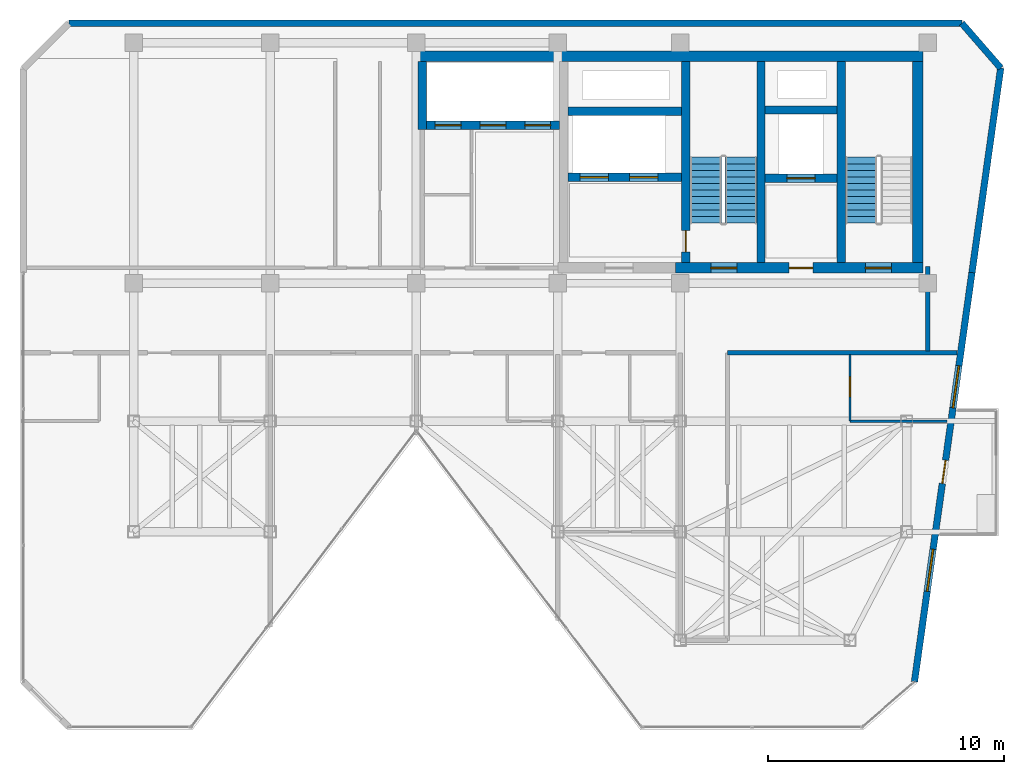
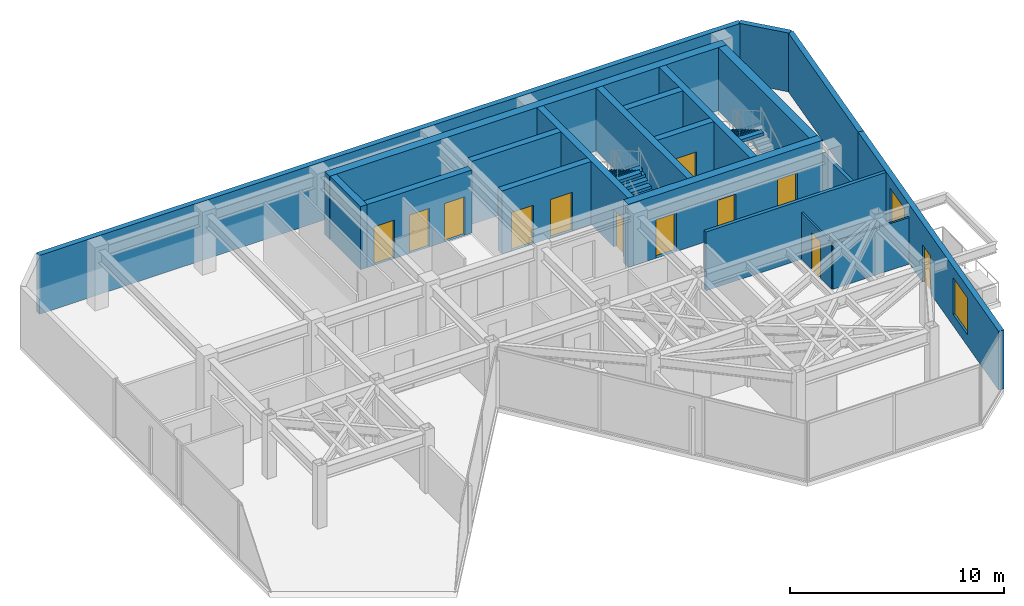
# One storey, part 16 of 19: 20 walls, 12 doors, 3 stair flights, 2 windows, 14 openings, 2 elements without a shape of their own.
"""IFC4 building model written with IfcOpenShell, lengths in metres."""

from ifc_helpers import new_model, si_unit, direction, frame, frame_2d, origin, place, context, subcontext, project, spatial, polyline, rectangle, outline, extrude, material, layer, layer_set, type_object, element, fill, aggregate, save


model = new_model("IFC4")

# Units and contexts
model_context = context("Model", 3, precision=1e-05, world=origin(), true_north=direction((0.0, 1.0)))
body_context = subcontext(model_context, "Body", "Model", "MODEL_VIEW")
ifc_project = project(units=[si_unit("LENGTHUNIT", "METRE"), si_unit("AREAUNIT", "SQUARE_METRE"), si_unit("VOLUMEUNIT", "CUBIC_METRE"), si_unit("PLANEANGLEUNIT", "RADIAN"), si_unit("MASSUNIT", "GRAM", prefix="KILO")], contexts=[model_context])

# Site, building, storey
site_placement = place(None, origin())
site = spatial("IfcSite", under=ifc_project, at=site_placement, CompositionType="ELEMENT")
building_placement = place(site_placement, origin())
building = spatial("IfcBuilding", under=site, at=building_placement, Name="Kravanh Interchange Tower", CompositionType="ELEMENT")
storey_placement = place(building_placement, frame((0.0, 0.0, 270.60009765625)))
storey = spatial("IfcBuildingStorey", under=building, at=storey_placement, Name="L66", CompositionType="ELEMENT", Elevation=270.60009765625)

# Walls
ifc_material_1 = material(Name="Concrete C60/75", Category="concrete")
ifc_layer_1 = layer(ifc_material_1, 0.35009765625)
ifc_layer_set_1 = layer_set([ifc_layer_1], Name="Core Shear Wall Concrete C60/75 350mm")
wall_type_1 = type_object("IfcWallType", Name="Core Shear Wall Concrete C60/75 350mm", PredefinedType="SHEAR", material=ifc_layer_set_1)
for number, where, z_axis, x_axis, name in (
    (1, (62.824951171875, 38.22509765625, 0.0), (0.0, 0.0, 1.0), (0.0, 1.0, 0.0), "L66 Stair ST1 West Shear Wall"),
    (2, (59.425048828125, 38.22509765625, 0.0), (0.0, 0.0, 1.0), (0.0, 1.0, 0.0), "L66 Stair ST2 East Shear Wall"),
):
    element("IfcWall", number, at=place(storey_placement, frame(where, z_axis=z_axis, x_axis=x_axis)), inside=storey, type_object=wall_type_1, Name=name, PredefinedType="SHEAR", context=body_context, shape_type="SweptSolid", body=[
        extrude(rectangle(XDim=8.52490234375, YDim=0.35009765625, at=frame_2d((4.262451171875, 0.0))), origin(), (0.0, 0.0, 1.0), 3.599853515625),
    ])

# Wall, opening, door
wall_1_placement = place(storey_placement, frame((56.22509765625, 38.22509765625, 0.0), z_axis=(0.0, 0.0, 1.0), x_axis=(0.0, 1.0, 0.0)))
wall_1 = element("IfcWall", 3, at=wall_1_placement, inside=storey, type_object=wall_type_1, Name="L66 Stair ST2 West Shear Wall", PredefinedType="SHEAR", context=body_context, shape_type="SweptSolid", body=[
    extrude(rectangle(XDim=8.52490234375, YDim=0.35009765625, at=frame_2d((4.262451171875, 0.0))), origin(), (0.0, 0.0, 1.0), 3.599853515625),
])
opening_1_placement = place(wall_1_placement, frame((0.455078125, 0.0, 0.0)))
opening_1 = element("IfcOpeningElement", 4, at=opening_1_placement, cuts=wall_1, Name="Opening D-STAIR-90", PredefinedType="OPENING", context=body_context, shape_type="SweptSolid", body=[
    extrude(rectangle(XDim=0.89990234375, YDim=2.14990234375, at=frame_2d((0.449951171875, 1.074951171875))), frame((0.0, 0.18505859375, 0.0), z_axis=(0.0, -1.0, 0.0), x_axis=(1.0, 0.0, 0.0)), (0.0, 0.0, 1.0), 0.3701171875),
])
ifc_material_2 = material(Name="Structural Steel S355", Category="steel")
door_type_1 = type_object("IfcDoorType", Name="Fire-Rated Stair Lobby Door 900x2150", OperationType="NOTDEFINED", PredefinedType="DOOR", material=ifc_material_2)
door_1_placement = place(opening_1_placement, origin())
door_1 = element("IfcDoor", 5, at=door_1_placement, inside=storey, type_object=door_type_1, Name="L66 Firefighting Lobby to Stair ST2 Door", OperationType="SINGLE_SWING_LEFT", OverallHeight=2.14990234375, OverallWidth=0.89990234375, PredefinedType="DOOR", context=body_context, shape_type="SweptSolid", body=[
    extrude(rectangle(XDim=0.89990234375, YDim=2.14990234375, at=frame_2d((0.449951171875, 1.074951171875))), frame((0.0, 0.02490234375, 0.0), z_axis=(0.0, -1.0, 0.0), x_axis=(1.0, 0.0, 0.0)), (0.0, 0.0, 1.0), 0.050048828125),
])
fill(opening_1, door_1)

wall_2_placement = place(storey_placement, frame((59.60009765625, 41.800048828125, 0.0), z_axis=(0.0, 0.0, 1.0), x_axis=(1.0, 0.0, 0.0)))
wall_2 = element("IfcWall", 6, at=wall_2_placement, inside=storey, type_object=wall_type_1, Name="L66 Service Lift Shaft South Wall", PredefinedType="SHEAR", context=body_context, shape_type="SweptSolid", body=[
    extrude(rectangle(XDim=3.0498046875, YDim=0.35009765625, at=frame_2d((1.52490234375, 0.0))), origin(), (0.0, 0.0, 1.0), 3.599853515625),
])
opening_2_placement = place(wall_2_placement, frame((0.919921875, 0.0, 0.0)))
opening_2 = element("IfcOpeningElement", 7, at=opening_2_placement, cuts=wall_2, Name="Opening LD02", PredefinedType="OPENING", context=body_context, shape_type="SweptSolid", body=[
    extrude(rectangle(XDim=1.199951171875, YDim=2.199951171875, at=frame_2d((0.60009765625, 1.10009765625))), frame((0.0, 0.18505859375, 0.0), z_axis=(0.0, -1.0, 0.0), x_axis=(1.0, 0.0, 0.0)), (0.0, 0.0, 1.0), 0.3701171875),
])
ifc_material_3 = material(Name="Stainless Steel 316", Category="steel")
door_type_2 = type_object("IfcDoorType", Name="Fire and Service Lift Sliding Landing Door 1200x2200", OperationType="DOUBLE_DOOR_SLIDING", PredefinedType="DOOR", material=ifc_material_3)
door_2_placement = place(opening_2_placement, origin())
door_2 = element("IfcDoor", 8, at=door_2_placement, inside=storey, type_object=door_type_2, Name="L66 Lift LS-01 Landing Door", OperationType="DOUBLE_DOOR_SLIDING", OverallHeight=2.199951171875, OverallWidth=1.199951171875, PredefinedType="DOOR", context=body_context, shape_type="SweptSolid", body=[
    extrude(rectangle(XDim=1.199951171875, YDim=2.199951171875, at=frame_2d((0.60009765625, 1.10009765625))), frame((0.0, 0.02490234375, 0.0), z_axis=(0.0, -1.0, 0.0), x_axis=(1.0, 0.0, 0.0)), (0.0, 0.0, 1.0), 0.050048828125),
])
fill(opening_2, door_2)

# Wall
wall_3_placement = place(storey_placement, frame((59.60009765625, 44.699951171875, 0.0), z_axis=(0.0, 0.0, 1.0), x_axis=(1.0, 0.0, 0.0)))
element("IfcWall", 9, at=wall_3_placement, inside=storey, type_object=wall_type_1, Name="L66 Service Lift Shaft North Wall", PredefinedType="SHEAR", context=body_context, shape_type="SweptSolid", body=[
    extrude(rectangle(XDim=3.0498046875, YDim=0.35009765625, at=frame_2d((1.52490234375, 0.0))), origin(), (0.0, 0.0, 1.0), 3.599853515625),
])

# Wall, openings, doors
wall_4_placement = place(storey_placement, frame((51.22509765625, 41.85009765625, 0.0), z_axis=(0.0, 0.0, 1.0), x_axis=(1.0, 0.0, 0.0)))
wall_4 = element("IfcWall", 10, at=wall_4_placement, inside=storey, type_object=wall_type_1, Name="L66 Fire Lift Shaft South Wall", PredefinedType="SHEAR", context=body_context, shape_type="SweptSolid", body=[
    extrude(rectangle(XDim=4.824951171875, YDim=0.35009765625, at=frame_2d((2.41259765625, 0.0))), origin(), (0.0, 0.0, 1.0), 3.599853515625),
])
opening_3_placement = place(wall_4_placement, frame((0.52490234375, 0.0, 0.0)))
opening_3 = element("IfcOpeningElement", 11, at=opening_3_placement, cuts=wall_4, Name="Opening LD02", PredefinedType="OPENING", context=body_context, shape_type="SweptSolid", body=[
    extrude(rectangle(XDim=1.199951171875, YDim=2.199951171875, at=frame_2d((0.60009765625, 1.10009765625))), frame((0.0, 0.18505859375, 0.0), z_axis=(0.0, -1.0, 0.0), x_axis=(1.0, 0.0, 0.0)), (0.0, 0.0, 1.0), 0.3701171875),
])
opening_4_placement = place(wall_4_placement, frame((2.625, 0.0, 0.0)))
opening_4 = element("IfcOpeningElement", 12, at=opening_4_placement, cuts=wall_4, Name="Opening LD02", PredefinedType="OPENING", context=body_context, shape_type="SweptSolid", body=[
    extrude(rectangle(XDim=1.199951171875, YDim=2.199951171875, at=frame_2d((0.60009765625, 1.10009765625))), frame((0.0, 0.18505859375, 0.0), z_axis=(0.0, -1.0, 0.0), x_axis=(1.0, 0.0, 0.0)), (0.0, 0.0, 1.0), 0.3701171875),
])
door_3_placement = place(opening_3_placement, origin())
door_3 = element("IfcDoor", 13, at=door_3_placement, inside=storey, type_object=door_type_2, Name="L66 Lift FSAE-01 Landing Door", OperationType="DOUBLE_DOOR_SLIDING", OverallHeight=2.199951171875, OverallWidth=1.199951171875, PredefinedType="DOOR", context=body_context, shape_type="SweptSolid", body=[
    extrude(rectangle(XDim=1.199951171875, YDim=2.199951171875, at=frame_2d((0.60009765625, 1.10009765625))), frame((0.0, 0.02490234375, 0.0), z_axis=(0.0, -1.0, 0.0), x_axis=(1.0, 0.0, 0.0)), (0.0, 0.0, 1.0), 0.050048828125),
])
fill(opening_3, door_3)
door_4_placement = place(opening_4_placement, origin())
door_4 = element("IfcDoor", 14, at=door_4_placement, inside=storey, type_object=door_type_2, Name="L66 Lift FSAE-02 Landing Door", OperationType="DOUBLE_DOOR_SLIDING", OverallHeight=2.199951171875, OverallWidth=1.199951171875, PredefinedType="DOOR", context=body_context, shape_type="SweptSolid", body=[
    extrude(rectangle(XDim=1.199951171875, YDim=2.199951171875, at=frame_2d((0.60009765625, 1.10009765625))), frame((0.0, 0.02490234375, 0.0), z_axis=(0.0, -1.0, 0.0), x_axis=(1.0, 0.0, 0.0)), (0.0, 0.0, 1.0), 0.050048828125),
])
fill(opening_4, door_4)

# Wall
wall_5_placement = place(storey_placement, frame((51.22509765625, 44.64990234375, 0.0), z_axis=(0.0, 0.0, 1.0), x_axis=(1.0, 0.0, 0.0)))
element("IfcWall", 15, at=wall_5_placement, inside=storey, type_object=wall_type_1, Name="L66 Fire Lift Shaft North Wall", PredefinedType="SHEAR", context=body_context, shape_type="SweptSolid", body=[
    extrude(rectangle(XDim=4.824951171875, YDim=0.35009765625, at=frame_2d((2.41259765625, 0.0))), origin(), (0.0, 0.0, 1.0), 3.599853515625),
])

# Wall, openings, doors
wall_6_placement = place(storey_placement, frame((45.22509765625, 44.050048828125, 0.0), z_axis=(0.0, 0.0, 1.0), x_axis=(1.0, 0.0, 0.0)))
wall_6 = element("IfcWall", 16, at=wall_6_placement, inside=storey, type_object=wall_type_1, Name="L66 High-Rise Lift Shaft South Wall", PredefinedType="SHEAR", context=body_context, shape_type="SweptSolid", body=[
    extrude(rectangle(XDim=5.64990234375, YDim=0.35009765625, at=frame_2d((2.824951171875, 0.0))), origin(), (0.0, 0.0, 1.0), 3.599853515625),
])
opening_5_placement = place(wall_6_placement, frame((0.375, 0.0, 0.0)))
opening_5 = element("IfcOpeningElement", 17, at=opening_5_placement, cuts=wall_6, Name="Opening LD01", PredefinedType="OPENING", context=body_context, shape_type="SweptSolid", body=[
    extrude(rectangle(XDim=1.10009765625, YDim=2.199951171875, at=frame_2d((0.550048828125, 1.10009765625))), frame((0.0, 0.18505859375, 0.0), z_axis=(0.0, -1.0, 0.0), x_axis=(1.0, 0.0, 0.0)), (0.0, 0.0, 1.0), 0.3701171875),
])
opening_6_placement = place(wall_6_placement, frame((2.27490234375, 0.0, 0.0)))
opening_6 = element("IfcOpeningElement", 18, at=opening_6_placement, cuts=wall_6, Name="Opening LD01", PredefinedType="OPENING", context=body_context, shape_type="SweptSolid", body=[
    extrude(rectangle(XDim=1.10009765625, YDim=2.199951171875, at=frame_2d((0.550048828125, 1.10009765625))), frame((0.0, 0.18505859375, 0.0), z_axis=(0.0, -1.0, 0.0), x_axis=(1.0, 0.0, 0.0)), (0.0, 0.0, 1.0), 0.3701171875),
])
opening_7_placement = place(wall_6_placement, frame((4.175048828125, 0.0, 0.0)))
opening_7 = element("IfcOpeningElement", 19, at=opening_7_placement, cuts=wall_6, Name="Opening LD01", PredefinedType="OPENING", context=body_context, shape_type="SweptSolid", body=[
    extrude(rectangle(XDim=1.10009765625, YDim=2.199951171875, at=frame_2d((0.550048828125, 1.10009765625))), frame((0.0, 0.18505859375, 0.0), z_axis=(0.0, -1.0, 0.0), x_axis=(1.0, 0.0, 0.0)), (0.0, 0.0, 1.0), 0.3701171875),
])
ifc_material_4 = material(Name="Stainless Steel 304", Category="steel")
door_type_3 = type_object("IfcDoorType", Name="Passenger Lift Sliding Landing Door 1100x2200", OperationType="DOUBLE_DOOR_SLIDING", PredefinedType="DOOR", material=ifc_material_4)
door_5_placement = place(opening_5_placement, origin())
door_5 = element("IfcDoor", 20, at=door_5_placement, inside=storey, type_object=door_type_3, Name="L66 Lift LP-H1 Landing Door", OperationType="DOUBLE_DOOR_SLIDING", OverallHeight=2.199951171875, OverallWidth=1.10009765625, PredefinedType="DOOR", context=body_context, shape_type="SweptSolid", body=[
    extrude(rectangle(XDim=1.10009765625, YDim=2.199951171875, at=frame_2d((0.550048828125, 1.10009765625))), frame((0.0, 0.02490234375, 0.0), z_axis=(0.0, -1.0, 0.0), x_axis=(1.0, 0.0, 0.0)), (0.0, 0.0, 1.0), 0.050048828125),
])
fill(opening_5, door_5)
door_6_placement = place(opening_6_placement, origin())
door_6 = element("IfcDoor", 21, at=door_6_placement, inside=storey, type_object=door_type_3, Name="L66 Lift LP-H2 Landing Door", OperationType="DOUBLE_DOOR_SLIDING", OverallHeight=2.199951171875, OverallWidth=1.10009765625, PredefinedType="DOOR", context=body_context, shape_type="SweptSolid", body=[
    extrude(rectangle(XDim=1.10009765625, YDim=2.199951171875, at=frame_2d((0.550048828125, 1.10009765625))), frame((0.0, 0.02490234375, 0.0), z_axis=(0.0, -1.0, 0.0), x_axis=(1.0, 0.0, 0.0)), (0.0, 0.0, 1.0), 0.050048828125),
])
fill(opening_6, door_6)
door_7_placement = place(opening_7_placement, origin())
door_7 = element("IfcDoor", 22, at=door_7_placement, inside=storey, type_object=door_type_3, Name="L66 Lift LP-H3 Landing Door", OperationType="DOUBLE_DOOR_SLIDING", OverallHeight=2.199951171875, OverallWidth=1.10009765625, PredefinedType="DOOR", context=body_context, shape_type="SweptSolid", body=[
    extrude(rectangle(XDim=1.10009765625, YDim=2.199951171875, at=frame_2d((0.550048828125, 1.10009765625))), frame((0.0, 0.02490234375, 0.0), z_axis=(0.0, -1.0, 0.0), x_axis=(1.0, 0.0, 0.0)), (0.0, 0.0, 1.0), 0.050048828125),
])
fill(opening_7, door_7)

# Walls
wall_7_placement = place(storey_placement, frame((45.050048828125, 43.875, 0.0), z_axis=(0.0, 0.0, 1.0), x_axis=(0.0, 1.0, 0.0)))
element("IfcWall", 23, at=wall_7_placement, inside=storey, type_object=wall_type_1, Name="L66 High-Rise Lift Shaft West Wall", PredefinedType="SHEAR", context=body_context, shape_type="SweptSolid", body=[
    extrude(rectangle(XDim=2.875, YDim=0.35009765625, at=frame_2d((1.4375, 0.0))), origin(), (0.0, 0.0, 1.0), 3.599853515625),
])
ifc_material_5 = material(Name="Concrete C60/75", Category="concrete")
ifc_layer_2 = layer(ifc_material_5, 0.449951171875)
ifc_layer_set_2 = layer_set([ifc_layer_2], Name="Core Shear Wall Concrete C60/75 450mm")
wall_type_2 = type_object("IfcWallType", Name="Core Shear Wall Concrete C60/75 450mm", PredefinedType="SHEAR", material=ifc_layer_set_2)
wall_8_placement = place(storey_placement, frame((44.85009765625, 46.97509765625, 0.0), z_axis=(0.0, 0.0, 1.0), x_axis=(1.0, 0.0, 0.0)))
element("IfcWall", 24, at=wall_8_placement, inside=storey, type_object=wall_type_2, Name="L66 North Core Shear Wall", PredefinedType="SHEAR", context=body_context, shape_type="SweptSolid", body=[
    extrude(rectangle(XDim=21.449951171875, YDim=0.449951171875, at=frame_2d((10.72509765625, 0.0))), origin(), (0.0, 0.0, 1.0), 3.599853515625),
])

# Wall, openings, doors
wall_9_placement = place(storey_placement, frame((55.800048828125, 38.0, 0.0), z_axis=(0.0, 0.0, 1.0), x_axis=(1.0, 0.0, 0.0)))
wall_9 = element("IfcWall", 25, at=wall_9_placement, inside=storey, type_object=wall_type_2, Name="L66 East Core South Shear Wall", PredefinedType="SHEAR", context=body_context, shape_type="SweptSolid", body=[
    extrude(rectangle(XDim=10.5, YDim=0.449951171875, at=frame_2d((5.25, 0.0))), origin(), (0.0, 0.0, 1.0), 3.599853515625),
])
opening_8_placement = place(wall_9_placement, frame((1.5, 0.0, 0.0)))
opening_8 = element("IfcOpeningElement", 26, at=opening_8_placement, cuts=wall_9, Name="Opening D-STAIR-110", PredefinedType="OPENING", context=body_context, shape_type="SweptSolid", body=[
    extrude(rectangle(XDim=1.10009765625, YDim=2.199951171875, at=frame_2d((0.550048828125, 1.10009765625))), frame((0.0, 0.23486328125, 0.0), z_axis=(0.0, -1.0, 0.0), x_axis=(1.0, 0.0, 0.0)), (0.0, 0.0, 1.0), 0.469970703125),
])
opening_9_placement = place(wall_9_placement, frame((4.820068359375, 0.0, 0.0)))
opening_9 = element("IfcOpeningElement", 27, at=opening_9_placement, cuts=wall_9, Name="Opening D-HOTEL-100", PredefinedType="OPENING", context=body_context, shape_type="SweptSolid", body=[
    extrude(rectangle(XDim=1.0, YDim=2.14990234375, at=frame_2d((0.5, 1.074951171875))), frame((0.0, 0.23486328125, 0.0), z_axis=(0.0, -1.0, 0.0), x_axis=(1.0, 0.0, 0.0)), (0.0, 0.0, 1.0), 0.469970703125),
])
opening_10_placement = place(wall_9_placement, frame((8.050048828125, 0.0, 0.0)))
opening_10 = element("IfcOpeningElement", 28, at=opening_10_placement, cuts=wall_9, Name="Opening D-STAIR-110", PredefinedType="OPENING", context=body_context, shape_type="SweptSolid", body=[
    extrude(rectangle(XDim=1.10009765625, YDim=2.199951171875, at=frame_2d((0.550048828125, 1.10009765625))), frame((0.0, 0.23486328125, 0.0), z_axis=(0.0, -1.0, 0.0), x_axis=(1.0, 0.0, 0.0)), (0.0, 0.0, 1.0), 0.469970703125),
])
ifc_material_6 = material(Name="Structural Steel S355", Category="steel")
door_type_4 = type_object("IfcDoorType", Name="Fire-Rated Exit Stair Door 1100x2200", OperationType="NOTDEFINED", PredefinedType="DOOR", material=ifc_material_6)
door_8_placement = place(opening_8_placement, origin())
door_8 = element("IfcDoor", 29, at=door_8_placement, inside=storey, type_object=door_type_4, Name="L66 Exit Stair ST2 Door", OperationType="SINGLE_SWING_RIGHT", OverallHeight=2.199951171875, OverallWidth=1.10009765625, PredefinedType="DOOR", context=body_context, shape_type="SweptSolid", body=[
    extrude(rectangle(XDim=1.10009765625, YDim=2.199951171875, at=frame_2d((0.550048828125, 1.10009765625))), frame((0.0, 0.02490234375, 0.0), z_axis=(0.0, -1.0, 0.0), x_axis=(1.0, 0.0, 0.0)), (0.0, 0.0, 1.0), 0.050048828125),
])
fill(opening_8, door_8)
door_9_placement = place(opening_10_placement, origin())
door_9 = element("IfcDoor", 30, at=door_9_placement, inside=storey, type_object=door_type_4, Name="L66 Exit Stair ST1 Door", OperationType="SINGLE_SWING_RIGHT", OverallHeight=2.199951171875, OverallWidth=1.10009765625, PredefinedType="DOOR", context=body_context, shape_type="SweptSolid", body=[
    extrude(rectangle(XDim=1.10009765625, YDim=2.199951171875, at=frame_2d((0.550048828125, 1.10009765625))), frame((0.0, 0.02490234375, 0.0), z_axis=(0.0, -1.0, 0.0), x_axis=(1.0, 0.0, 0.0)), (0.0, 0.0, 1.0), 0.050048828125),
])
fill(opening_10, door_9)
ifc_material_7 = material(Name="Fire-Rated Solid Timber Leaf", Category="wood")
door_type_5 = type_object("IfcDoorType", Name="Fire-Rated Suite Entrance Door 1000x2150", OperationType="NOTDEFINED", PredefinedType="DOOR", material=ifc_material_7)
door_10_placement = place(opening_9_placement, origin())
door_10 = element("IfcDoor", 31, at=door_10_placement, inside=storey, type_object=door_type_5, Name="L66 Service Lift Lobby Door", OperationType="SINGLE_SWING_RIGHT", OverallHeight=2.14990234375, OverallWidth=1.0, PredefinedType="DOOR", context=body_context, shape_type="SweptSolid", body=[
    extrude(rectangle(XDim=1.0, YDim=2.14990234375, at=frame_2d((0.5, 1.074951171875))), frame((0.0, 0.02490234375, 0.0), z_axis=(0.0, -1.0, 0.0), x_axis=(1.0, 0.0, 0.0)), (0.0, 0.0, 1.0), 0.050048828125),
])
fill(opening_9, door_10)

# Walls
wall_10_placement = place(storey_placement, frame((66.074951171875, 38.22509765625, 0.0), z_axis=(0.0, 0.0, 1.0), x_axis=(0.0, 1.0, 0.0)))
element("IfcWall", 32, at=wall_10_placement, inside=storey, type_object=wall_type_2, Name="L66 Stair ST1 East Shear Wall", PredefinedType="SHEAR", context=body_context, shape_type="SweptSolid", body=[
    extrude(rectangle(XDim=8.52490234375, YDim=0.449951171875, at=frame_2d((4.262451171875, 0.0))), origin(), (0.0, 0.0, 1.0), 3.599853515625),
])
ifc_material_8 = material(Name="Moisture-Resistant Gypsum Board and Mineral Wool")
ifc_layer_3 = layer(ifc_material_8, 0.10009765625)
ifc_layer_set_3 = layer_set([ifc_layer_3], Name="En-Suite Moisture-Resistant Partition 100mm")
wall_type_3 = type_object("IfcWallType", Name="En-Suite Moisture-Resistant Partition 100mm", PredefinedType="PARTITIONING", material=ifc_layer_set_3)
wall_11_placement = place(storey_placement, frame((63.199951171875, 31.5, 0.0), z_axis=(0.0, 0.0, 1.0), x_axis=(1.0, 0.0, 0.0)))
element("IfcWall", 33, at=wall_11_placement, inside=storey, type_object=wall_type_3, Name="L66 Interior Partition 17", PredefinedType="PARTITIONING", context=body_context, shape_type="SweptSolid", body=[
    extrude(rectangle(XDim=4.123046875, YDim=0.10009765625, at=frame_2d((2.0615234375, 0.0))), origin(), (0.0, 0.0, 1.0), 2.663818359375),
])

# Wall, opening, door
wall_12_placement = place(storey_placement, frame((63.199951171875, 31.5, 0.0), z_axis=(0.0, 0.0, 1.0), x_axis=(0.0, 1.0, 0.0)))
wall_12 = element("IfcWall", 34, at=wall_12_placement, inside=storey, type_object=wall_type_3, Name="L66 Interior Partition 18", PredefinedType="PARTITIONING", context=body_context, shape_type="SweptSolid", body=[
    extrude(rectangle(XDim=2.83203125, YDim=0.10009765625, at=frame_2d((1.416015625, 0.0))), origin(), (0.0, 0.0, 1.0), 2.663818359375),
])
opening_11_placement = place(wall_12_placement, frame((1.02490234375, 0.0, 0.0)))
opening_11 = element("IfcOpeningElement", 35, at=opening_11_placement, cuts=wall_12, Name="Opening D-85", PredefinedType="OPENING", context=body_context, shape_type="SweptSolid", body=[
    extrude(rectangle(XDim=0.85009765625, YDim=2.10009765625, at=frame_2d((0.425048828125, 1.050048828125))), frame((0.0, 0.06005859375, 0.0), z_axis=(0.0, -1.0, 0.0), x_axis=(1.0, 0.0, 0.0)), (0.0, 0.0, 1.0), 0.1201171875),
])
ifc_material_9 = material(Name="Engineered Teak Veneer Timber", Category="wood")
door_type_6 = type_object("IfcDoorType", Name="En-Suite Timber Door 850x2100", OperationType="NOTDEFINED", PredefinedType="DOOR", material=ifc_material_9)
door_11_placement = place(opening_11_placement, origin())
door_11 = element("IfcDoor", 36, at=door_11_placement, inside=storey, type_object=door_type_6, Name="L66 En-suite Bathroom Door", OperationType="SINGLE_SWING_LEFT", OverallHeight=2.10009765625, OverallWidth=0.85009765625, PredefinedType="DOOR", context=body_context, shape_type="SweptSolid", body=[
    extrude(rectangle(XDim=0.85009765625, YDim=2.10009765625, at=frame_2d((0.425048828125, 1.050048828125))), frame((0.0, 0.02490234375, 0.0), z_axis=(0.0, -1.0, 0.0), x_axis=(1.0, 0.0, 0.0)), (0.0, 0.0, 1.0), 0.050048828125),
])
fill(opening_11, door_11)

# Walls
ifc_material_10 = material(Name="Insulated Precast Concrete C40/50 with Bronze Cladding", Category="concrete")
ifc_layer_4 = layer(ifc_material_10, 0.280029296875)
ifc_layer_set_4 = layer_set([ifc_layer_4], Name="Exterior Insulated Concrete C40/50 Bronze Spandrel Wall 280mm")
wall_type_4 = type_object("IfcWallType", Name="Exterior Insulated Concrete C40/50 Bronze Spandrel Wall 280mm", PredefinedType="STANDARD", material=ifc_layer_set_4)
wall_13_placement = place(storey_placement, frame((30.0498046875, 48.3798828125, 0.0), z_axis=(0.0, 0.0, 1.0), x_axis=(1.0, 0.0, 0.0)))
element("IfcWall", 37, at=wall_13_placement, inside=storey, type_object=wall_type_4, Name="L66 Exterior Wall 3", PredefinedType="STANDARD", context=body_context, shape_type="SweptSolid", body=[
    extrude(rectangle(XDim=37.8955078125, YDim=0.280029296875, at=frame_2d((18.94775390625, 0.0))), origin(), (0.0, 0.0, 1.0), 3.35986328125),
])
wall_14_placement = place(storey_placement, frame((67.9453125, 48.3798828125, 0.0), z_axis=(0.0, 0.0, 1.0), x_axis=(0.656068147197, -0.75470165379, 0.0)))
element("IfcWall", 38, at=wall_14_placement, inside=storey, type_object=wall_type_4, Name="L66 Exterior Wall 4", PredefinedType="STANDARD", context=body_context, shape_type="SweptSolid", body=[
    extrude(rectangle(XDim=2.514892578125, YDim=0.280029296875, at=frame_2d((1.25732421875, 0.0))), origin(), (0.0, 0.0, 1.0), 3.35986328125),
])
wall_15_placement = place(storey_placement, frame((69.59521484375, 46.48193359375, 0.0), z_axis=(0.0, 0.0, 1.0), x_axis=(-0.139179310088, -0.990267196086, 0.0)))
element("IfcWall", 39, at=wall_15_placement, inside=storey, type_object=wall_type_4, Name="L66 Exterior Wall 5", PredefinedType="STANDARD", context=body_context, shape_type="SweptSolid", body=[
    extrude(rectangle(XDim=8.767333984375, YDim=0.280029296875, at=frame_2d((4.3837890625, 0.0))), origin(), (0.0, 0.0, 1.0), 3.35986328125),
])

# Wall, openings, door, windows
wall_16_placement = place(storey_placement, frame((68.375, 37.800048828125, 0.0), z_axis=(0.0, 0.0, 1.0), x_axis=(-0.139166909111, -0.990268938929, 0.0)))
wall_16 = element("IfcWall", 40, at=wall_16_placement, inside=storey, type_object=wall_type_4, Name="L66 Exterior Wall 6", PredefinedType="STANDARD", context=body_context, shape_type="SweptSolid", body=[
    extrude(rectangle(XDim=17.529052734375, YDim=0.280029296875, at=frame_2d((8.7646484375, 0.0))), origin(), (0.0, 0.0, 1.0), 3.35986328125),
])
opening_12_placement = place(wall_16_placement, frame((8.036376953125, 0.0, 0.0)))
opening_12 = element("IfcOpeningElement", 41, at=opening_12_placement, cuts=wall_16, Name="Opening ED-BAL100", PredefinedType="OPENING", context=body_context, shape_type="SweptSolid", body=[
    extrude(rectangle(XDim=1.0, YDim=2.14990234375, at=frame_2d((0.5, 1.074951171875))), frame((0.0, 0.14990234375, 0.0), z_axis=(0.0, -1.0, 0.0), x_axis=(1.0, 0.0, 0.0)), (0.0, 0.0, 1.0), 0.300048828125),
])
opening_13_placement = place(wall_16_placement, frame((3.996826171875, 0.0, 0.64990234375)))
opening_13 = element("IfcOpeningElement", 42, at=opening_13_placement, cuts=wall_16, Name="Opening WN-180X210", PredefinedType="OPENING", context=body_context, shape_type="SweptSolid", body=[
    extrude(rectangle(XDim=1.800048828125, YDim=2.10009765625, at=frame_2d((0.89990234375, 1.050048828125))), frame((0.0, 0.14990234375, 0.0), z_axis=(0.0, -1.0, 0.0), x_axis=(1.0, 0.0, 0.0)), (0.0, 0.0, 1.0), 0.300048828125),
])
opening_14_placement = place(wall_16_placement, frame((11.85302734375, 0.0, 0.64990234375)))
opening_14 = element("IfcOpeningElement", 43, at=opening_14_placement, cuts=wall_16, Name="Opening WN-180X210", PredefinedType="OPENING", context=body_context, shape_type="SweptSolid", body=[
    extrude(rectangle(XDim=1.800048828125, YDim=2.10009765625, at=frame_2d((0.89990234375, 1.050048828125))), frame((0.0, 0.14990234375, 0.0), z_axis=(0.0, -1.0, 0.0), x_axis=(1.0, 0.0, 0.0)), (0.0, 0.0, 1.0), 0.300048828125),
])
ifc_material_11 = material(Name="Thermally Broken Bronze Aluminium and Laminated Glass", Category="aluminium")
door_type_7 = type_object("IfcDoorType", Name="Balcony Glazed Door 1000x2150", OperationType="NOTDEFINED", PredefinedType="DOOR", material=ifc_material_11)
door_12_placement = place(opening_12_placement, origin())
door_12 = element("IfcDoor", 44, at=door_12_placement, inside=storey, type_object=door_type_7, Name="L66 E Tree Balcony Access Door", OperationType="SINGLE_SWING_LEFT", OverallHeight=2.14990234375, OverallWidth=1.0, PredefinedType="DOOR", context=body_context, shape_type="SweptSolid", body=[
    extrude(rectangle(XDim=1.0, YDim=2.14990234375, at=frame_2d((0.5, 1.074951171875))), frame((0.0, 0.02490234375, 0.0), z_axis=(0.0, -1.0, 0.0), x_axis=(1.0, 0.0, 0.0)), (0.0, 0.0, 1.0), 0.050048828125),
])
fill(opening_12, door_12)
ifc_material_12 = material(Name="Thermally Broken Bronze Aluminium and Low-E Glass", Category="aluminium")
window_type = type_object("IfcWindowType", Name="Tower Pier Window 1800x2100", PartitioningType="SINGLE_PANEL", PredefinedType="WINDOW", material=ifc_material_12)
window_1_placement = place(opening_13_placement, origin())
window_1 = element("IfcWindow", 45, at=window_1_placement, inside=storey, type_object=window_type, Name="L66 Facade Window 6A", OverallHeight=2.10009765625, OverallWidth=1.800048828125, PartitioningType="SINGLE_PANEL", PredefinedType="WINDOW", context=body_context, shape_type="SweptSolid", body=[
    extrude(rectangle(XDim=1.800048828125, YDim=2.10009765625, at=frame_2d((0.89990234375, 1.050048828125))), frame((0.0, 0.030029296875, 0.0), z_axis=(0.0, -1.0, 0.0), x_axis=(1.0, 0.0, 0.0)), (0.0, 0.0, 1.0), 0.06005859375),
])
fill(opening_13, window_1)
window_2_placement = place(opening_14_placement, origin())
window_2 = element("IfcWindow", 46, at=window_2_placement, inside=storey, type_object=window_type, Name="L66 Facade Window 6B", OverallHeight=2.10009765625, OverallWidth=1.800048828125, PartitioningType="SINGLE_PANEL", PredefinedType="WINDOW", context=body_context, shape_type="SweptSolid", body=[
    extrude(rectangle(XDim=1.800048828125, YDim=2.10009765625, at=frame_2d((0.89990234375, 1.050048828125))), frame((0.0, 0.030029296875, 0.0), z_axis=(0.0, -1.0, 0.0), x_axis=(1.0, 0.0, 0.0)), (0.0, 0.0, 1.0), 0.06005859375),
])
fill(opening_14, window_2)

# Walls
ifc_material_13 = material(Name="Autoclaved Aerated Concrete C30/37 Blockwork", Category="masonry")
ifc_layer_5 = layer(ifc_material_13, 0.179931640625)
ifc_layer_set_5 = layer_set([ifc_layer_5], Name="Fire-Rated Lobby and Corridor Wall Concrete C30/37 180mm")
wall_type_5 = type_object("IfcWallType", Name="Fire-Rated Lobby and Corridor Wall Concrete C30/37 180mm", PredefinedType="STANDARD", material=ifc_layer_set_5)
wall_17_placement = place(storey_placement, frame((58.0, 34.39990234375, 0.0), z_axis=(0.0, 0.0, 1.0), x_axis=(1.0, 0.0, 0.0)))
element("IfcWall", 47, at=wall_17_placement, inside=storey, type_object=wall_type_5, Name="L66 Interior Partition 10", PredefinedType="STANDARD", context=body_context, shape_type="SweptSolid", body=[
    extrude(rectangle(XDim=9.730712890625, YDim=0.179931640625, at=frame_2d((4.865234375, 0.0))), origin(), (0.0, 0.0, 1.0), 3.35986328125),
])
wall_18_placement = place(storey_placement, frame((66.5, 34.468017578125, 0.0), z_axis=(0.0, 0.0, 1.0), x_axis=(0.0, 1.0, 0.0)))
element("IfcWall", 48, at=wall_18_placement, inside=storey, type_object=wall_type_5, Name="L66 Interior Partition 11", PredefinedType="STANDARD", context=body_context, shape_type="SweptSolid", body=[
    extrude(rectangle(XDim=3.58203125, YDim=0.179931640625, at=frame_2d((1.791015625, 0.0))), origin(), (0.0, 0.0, 1.0), 2.663818359375),
])

# Stair, stair flight
ifc_material_14 = material(Name="Concrete C50/60", Category="concrete")
stair_type = type_object("IfcStairType", Name="Core Fire Exit Dogleg Stair Concrete C50/60", PredefinedType="HALF_TURN_STAIR", material=ifc_material_14)
stair_1_placement = place(storey_placement, origin())
stair_1 = element("IfcStair", 49, at=stair_1_placement, inside=storey, type_object=stair_type, Name="L66 Exit Stair ST1", PredefinedType="HALF_TURN_STAIR")
ifc_material_15 = material(Name="Precast Concrete C50/60", Category="concrete")
ifc_layer_6 = layer(ifc_material_15, 0.199951171875)
ifc_layer_set_6 = layer_set([ifc_layer_6], Name="Precast Concrete C50/60 Stair Flight 1350mm")
stair_flight_type = type_object("IfcStairFlightType", Name="Precast Concrete C50/60 Stair Flight 1350mm", PredefinedType="STRAIGHT", material=ifc_layer_set_6)
stair_flight_1_placement = place(storey_placement, frame((63.675048828125, 42.699951171875, 1.7998046875), z_axis=(0.0, 0.0, 1.0), x_axis=(0.0, -1.0, 0.0)))
stair_flight_1 = element("IfcStairFlight", 50, at=stair_flight_1_placement, type_object=stair_flight_type, Name="ST1 flight 2", NumberOfRisers=11, NumberOfTreads=10, PredefinedType="STRAIGHT", RiserHeight=0.163636364, TreadLength=0.28, context=body_context, shape_type="SweptSolid", body=[
    extrude(outline(polyline([(0.0, 0.0), (0.0, 0.16357421875), (0.280029296875, 0.16357421875), (0.280029296875, 0.327392578125), (0.56005859375, 0.327392578125), (0.56005859375, 0.490966796875), (0.840087890625, 0.490966796875), (0.840087890625, 0.654541015625), (1.1201171875, 0.654541015625), (1.1201171875, 0.818115234375), (1.39990234375, 0.818115234375), (1.39990234375, 0.98193359375), (1.679931640625, 0.98193359375), (1.679931640625, 1.1455078125), (1.9599609375, 1.1455078125), (1.9599609375, 1.30908203125), (2.239990234375, 1.30908203125), (2.239990234375, 1.47265625), (2.52001953125, 1.47265625), (2.52001953125, 1.636474609375), (2.800048828125, 1.636474609375), (2.800048828125, 1.800048828125), (2.800048828125, 1.462646484375), (0.297119140625, 0.0), (0.0, 0.0)])), frame((0.0, 0.675048828125, 0.0), z_axis=(0.0, -1.0, 0.0), x_axis=(1.0, 0.0, 0.0)), (0.0, 0.0, 1.0), 1.35009765625),
])
aggregate(stair_1, [stair_flight_1])

# Stair, stair flights
stair_2_placement = place(storey_placement, origin())
stair_2 = element("IfcStair", 51, at=stair_2_placement, inside=storey, type_object=stair_type, Name="L66 Exit Stair ST2", PredefinedType="HALF_TURN_STAIR")
stair_flight_2_placement = place(storey_placement, frame((58.574951171875, 39.89990234375, 0.0), z_axis=(0.0, 0.0, 1.0), x_axis=(0.0, 1.0, 0.0)))
stair_flight_2 = element("IfcStairFlight", 52, at=stair_flight_2_placement, type_object=stair_flight_type, Name="ST2 flight 1", NumberOfRisers=11, NumberOfTreads=10, PredefinedType="STRAIGHT", RiserHeight=0.163636364, TreadLength=0.28, context=body_context, shape_type="SweptSolid", body=[
    extrude(outline(polyline([(0.0, 0.0), (0.0, 0.16357421875), (0.280029296875, 0.16357421875), (0.280029296875, 0.327392578125), (0.56005859375, 0.327392578125), (0.56005859375, 0.490966796875), (0.840087890625, 0.490966796875), (0.840087890625, 0.654541015625), (1.1201171875, 0.654541015625), (1.1201171875, 0.818115234375), (1.39990234375, 0.818115234375), (1.39990234375, 0.98193359375), (1.679931640625, 0.98193359375), (1.679931640625, 1.1455078125), (1.9599609375, 1.1455078125), (1.9599609375, 1.30908203125), (2.239990234375, 1.30908203125), (2.239990234375, 1.47265625), (2.52001953125, 1.47265625), (2.52001953125, 1.636474609375), (2.800048828125, 1.636474609375), (2.800048828125, 1.800048828125), (2.800048828125, 1.462646484375), (0.297119140625, 0.0), (0.0, 0.0)])), frame((0.0, 0.675048828125, 0.0), z_axis=(0.0, -1.0, 0.0), x_axis=(1.0, 0.0, 0.0)), (0.0, 0.0, 1.0), 1.35009765625),
])
stair_flight_3_placement = place(storey_placement, frame((57.074951171875, 42.699951171875, 1.7998046875), z_axis=(0.0, 0.0, 1.0), x_axis=(0.0, -1.0, 0.0)))
stair_flight_3 = element("IfcStairFlight", 53, at=stair_flight_3_placement, type_object=stair_flight_type, Name="ST2 flight 2", NumberOfRisers=11, NumberOfTreads=10, PredefinedType="STRAIGHT", RiserHeight=0.163636364, TreadLength=0.28, context=body_context, shape_type="SweptSolid", body=[
    extrude(outline(polyline([(0.0, 0.0), (0.0, 0.16357421875), (0.280029296875, 0.16357421875), (0.280029296875, 0.327392578125), (0.56005859375, 0.327392578125), (0.56005859375, 0.490966796875), (0.840087890625, 0.490966796875), (0.840087890625, 0.654541015625), (1.1201171875, 0.654541015625), (1.1201171875, 0.818115234375), (1.39990234375, 0.818115234375), (1.39990234375, 0.98193359375), (1.679931640625, 0.98193359375), (1.679931640625, 1.1455078125), (1.9599609375, 1.1455078125), (1.9599609375, 1.30908203125), (2.239990234375, 1.30908203125), (2.239990234375, 1.47265625), (2.52001953125, 1.47265625), (2.52001953125, 1.636474609375), (2.800048828125, 1.636474609375), (2.800048828125, 1.800048828125), (2.800048828125, 1.462646484375), (0.297119140625, 0.0), (0.0, 0.0)])), frame((0.0, 0.675048828125, 0.0), z_axis=(0.0, -1.0, 0.0), x_axis=(1.0, 0.0, 0.0)), (0.0, 0.0, 1.0), 1.35009765625),
])
aggregate(stair_2, [stair_flight_2, stair_flight_3])

save(model, "model.ifc")
